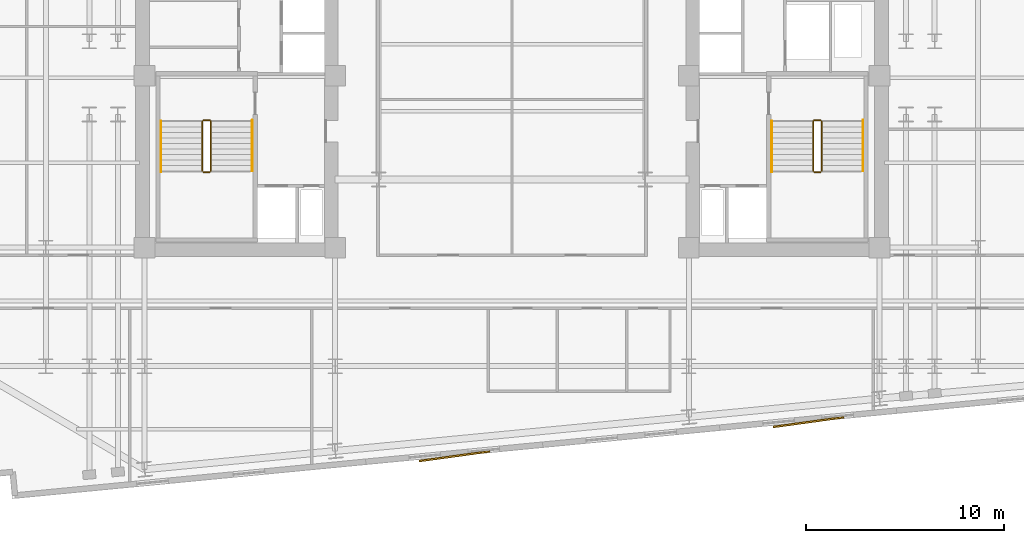
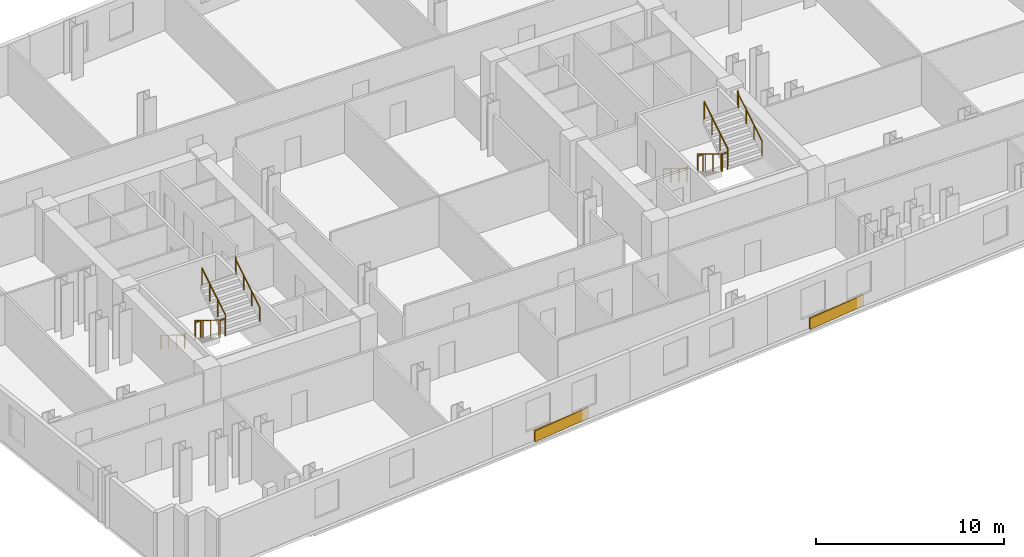
# One storey, part 10 of 11: 12 railings, 2 coverings.
"""IFC4 building model written with IfcOpenShell, lengths in metres."""

from ifc_helpers import new_model, si_unit, direction, frame, origin, origin_2d, place, context, subcontext, project, spatial, rectangle, circle, extrude, material, layer, layer_set, type_object, element, save


model = new_model("IFC4")

# Units and contexts
model_context = context("Model", 3, precision=1e-05, world=origin(), true_north=direction((0.0, 1.0)))
body_context = subcontext(model_context, "Body", "Model", "MODEL_VIEW")
ifc_project = project(units=[si_unit("LENGTHUNIT", "METRE"), si_unit("AREAUNIT", "SQUARE_METRE"), si_unit("VOLUMEUNIT", "CUBIC_METRE"), si_unit("PLANEANGLEUNIT", "RADIAN"), si_unit("MASSUNIT", "GRAM", prefix="KILO")], contexts=[model_context])

# Site, building, storey
site_placement = place(None, origin())
site = spatial("IfcSite", under=ifc_project, at=site_placement, CompositionType="ELEMENT")
building_placement = place(site_placement, origin())
building = spatial("IfcBuilding", under=site, at=building_placement, Name="Velakula Bourse", CompositionType="ELEMENT")
storey_placement = place(building_placement, frame((0.0, 0.0, 101.800048828125)))
storey = spatial("IfcBuildingStorey", under=building, at=storey_placement, Name="L27", CompositionType="ELEMENT", Elevation=101.800048828125)

# Coverings
ifc_material_1 = material(Name="Buff kilned clay facing brick masonry", Category="masonry")
ifc_layer = layer(ifc_material_1, 0.074951171875, Name="Buff kilned clay facing brick masonry", Category="masonry")
ifc_layer_set = layer_set([ifc_layer], Name="Buff kilned clay facing brick masonry")
covering_type = type_object("IfcCoveringType", Name="COV-BRK-SPN-75", PredefinedType="CLADDING", material=ifc_layer_set)
for number, where, z_axis, x_axis, name in (
    (1, (-2.908447265625, -19.154052734375, 0.0), (0.0, 0.0, 1.0), (0.990629029058, 0.136580111242, 0.0), "L27 Folded Brick Facade Cladding Panel S-B2"),
    (2, (15.0087890625, -17.428955078125, 0.0), (0.0, 0.0, 1.0), (0.990629029058, 0.136580111242, 0.0), "L27 Folded Brick Facade Cladding Panel S-B4"),
):
    element("IfcCovering", number, at=place(storey_placement, frame(where, z_axis=z_axis, x_axis=x_axis)), inside=storey, type_object=covering_type, Name=name, PredefinedType="CLADDING", context=body_context, shape_type="SweptSolid", body=[
        extrude(rectangle(XDim=3.60009765625, YDim=0.090087890625, at=origin_2d()), origin(), (0.0, 0.0, 1.0), 0.719970703125),
    ])

# Railings
ifc_material_2 = material(Name="Brushed grade 316 stainless steel", Category="steel")
railing_type_1 = type_object("IfcRailingType", Name="RLG-STAIR-GUARD-1150", PredefinedType="BALUSTRADE", material=ifc_material_2)
railing_1_placement = place(storey_placement, frame((-15.672119140625, -2.199951171875, 0.17236328125)))
element("IfcRailing", 3, at=railing_1_placement, inside=storey, type_object=railing_type_1, Name="L27 ST-W1 stair guard 1", PredefinedType="BALUSTRADE", context=body_context, shape_type="SweptSolid", body=[
    extrude(circle(Radius=0.02490234375, at=origin_2d()), frame((0.0, 0.0, 1.125), z_axis=(0.0, -0.851400495292, 0.524516154772), x_axis=(1.0, 0.0, 0.0)), (0.0, 0.0, 1.0), 2.9599609375),
    extrude(circle(Radius=0.02099609375, at=origin_2d()), origin(), (0.0, 0.0, 1.0), 1.099853515625),
    extrude(circle(Radius=0.02099609375, at=origin_2d()), frame((0.0, -0.840087890625, 0.517578125)), (0.0, 0.0, 1.0), 1.099853515625),
    extrude(circle(Radius=0.02099609375, at=origin_2d()), frame((0.0, -1.679931640625, 1.034912109375)), (0.0, 0.0, 1.0), 1.099853515625),
    extrude(circle(Radius=0.02099609375, at=origin_2d()), frame((0.0, -2.52001953125, 1.552490234375)), (0.0, 0.0, 1.0), 1.099853515625),
])
railing_2_placement = place(storey_placement, frame((-15.6220703125, -4.77001953125, 1.724853515625)))
element("IfcRailing", 4, at=railing_2_placement, inside=storey, type_object=railing_type_1, Name="L27 ST-W1 stair guard 2", PredefinedType="BALUSTRADE", context=body_context, shape_type="SweptSolid", body=[
    extrude(circle(Radius=0.02490234375, at=origin_2d()), frame((0.0, 0.0, 1.125), z_axis=(1.0, 0.0, 0.0), x_axis=(0.0, 1.0, 0.0)), (0.0, 0.0, 1.0), 0.323974609375),
    extrude(circle(Radius=0.02099609375, at=origin_2d()), origin(), (0.0, 0.0, 1.0), 1.099853515625),
    extrude(circle(Radius=0.02099609375, at=origin_2d()), frame((0.323974609375, 0.0, 0.0)), (0.0, 0.0, 1.0), 1.099853515625),
])
railing_3_placement = place(storey_placement, frame((-15.248046875, -4.719970703125, 1.8974609375)))
element("IfcRailing", 5, at=railing_3_placement, inside=storey, type_object=railing_type_1, Name="L27 ST-W1 stair guard 3", PredefinedType="BALUSTRADE", context=body_context, shape_type="SweptSolid", body=[
    extrude(circle(Radius=0.02490234375, at=origin_2d()), frame((0.0, 0.0, 1.125), z_axis=(0.0, 0.851400495292, 0.524516154772), x_axis=(-1.0, 0.0, 0.0)), (0.0, 0.0, 1.0), 2.9599609375),
    extrude(circle(Radius=0.02099609375, at=origin_2d()), origin(), (0.0, 0.0, 1.0), 1.099853515625),
    extrude(circle(Radius=0.02099609375, at=origin_2d()), frame((0.0, 0.840087890625, 0.517578125)), (0.0, 0.0, 1.0), 1.099853515625),
    extrude(circle(Radius=0.02099609375, at=origin_2d()), frame((0.0, 1.679931640625, 1.034912109375)), (0.0, 0.0, 1.0), 1.099853515625),
    extrude(circle(Radius=0.02099609375, at=origin_2d()), frame((0.0, 2.52001953125, 1.552490234375)), (0.0, 0.0, 1.0), 1.099853515625),
])
railing_4_placement = place(storey_placement, frame((-15.6220703125, -2.14990234375, 0.0)))
element("IfcRailing", 6, at=railing_4_placement, inside=storey, type_object=railing_type_1, Name="L27 ST-W1 stair guard 4", PredefinedType="BALUSTRADE", context=body_context, shape_type="SweptSolid", body=[
    extrude(circle(Radius=0.02490234375, at=origin_2d()), frame((0.0, 0.0, 1.125), z_axis=(1.0, 0.0, 0.0), x_axis=(0.0, 1.0, 0.0)), (0.0, 0.0, 1.0), 0.323974609375),
    extrude(circle(Radius=0.02099609375, at=origin_2d()), origin(), (0.0, 0.0, 1.0), 1.099853515625),
    extrude(circle(Radius=0.02099609375, at=origin_2d()), frame((0.323974609375, 0.0, 0.0)), (0.0, 0.0, 1.0), 1.099853515625),
])
railing_5_placement = place(storey_placement, frame((15.248046875, -2.199951171875, 0.17236328125)))
element("IfcRailing", 7, at=railing_5_placement, inside=storey, type_object=railing_type_1, Name="L27 ST-E1 stair guard 1", PredefinedType="BALUSTRADE", context=body_context, shape_type="SweptSolid", body=[
    extrude(circle(Radius=0.02490234375, at=origin_2d()), frame((0.0, 0.0, 1.125), z_axis=(0.0, -0.851400495292, 0.524516154772), x_axis=(1.0, 0.0, 0.0)), (0.0, 0.0, 1.0), 2.9599609375),
    extrude(circle(Radius=0.02099609375, at=origin_2d()), origin(), (0.0, 0.0, 1.0), 1.099853515625),
    extrude(circle(Radius=0.02099609375, at=origin_2d()), frame((0.0, -0.840087890625, 0.517578125)), (0.0, 0.0, 1.0), 1.099853515625),
    extrude(circle(Radius=0.02099609375, at=origin_2d()), frame((0.0, -1.679931640625, 1.034912109375)), (0.0, 0.0, 1.0), 1.099853515625),
    extrude(circle(Radius=0.02099609375, at=origin_2d()), frame((0.0, -2.52001953125, 1.552490234375)), (0.0, 0.0, 1.0), 1.099853515625),
])
railing_6_placement = place(storey_placement, frame((15.298095703125, -4.77001953125, 1.724853515625)))
element("IfcRailing", 8, at=railing_6_placement, inside=storey, type_object=railing_type_1, Name="L27 ST-E1 stair guard 2", PredefinedType="BALUSTRADE", context=body_context, shape_type="SweptSolid", body=[
    extrude(circle(Radius=0.02490234375, at=origin_2d()), frame((0.0, 0.0, 1.125), z_axis=(1.0, 0.0, 0.0), x_axis=(0.0, 1.0, 0.0)), (0.0, 0.0, 1.0), 0.323974609375),
    extrude(circle(Radius=0.02099609375, at=origin_2d()), origin(), (0.0, 0.0, 1.0), 1.099853515625),
    extrude(circle(Radius=0.02099609375, at=origin_2d()), frame((0.323974609375, 0.0, 0.0)), (0.0, 0.0, 1.0), 1.099853515625),
])
railing_7_placement = place(storey_placement, frame((15.672119140625, -4.719970703125, 1.8974609375)))
element("IfcRailing", 9, at=railing_7_placement, inside=storey, type_object=railing_type_1, Name="L27 ST-E1 stair guard 3", PredefinedType="BALUSTRADE", context=body_context, shape_type="SweptSolid", body=[
    extrude(circle(Radius=0.02490234375, at=origin_2d()), frame((0.0, 0.0, 1.125), z_axis=(0.0, 0.851400495292, 0.524516154772), x_axis=(-1.0, 0.0, 0.0)), (0.0, 0.0, 1.0), 2.9599609375),
    extrude(circle(Radius=0.02099609375, at=origin_2d()), origin(), (0.0, 0.0, 1.0), 1.099853515625),
    extrude(circle(Radius=0.02099609375, at=origin_2d()), frame((0.0, 0.840087890625, 0.517578125)), (0.0, 0.0, 1.0), 1.099853515625),
    extrude(circle(Radius=0.02099609375, at=origin_2d()), frame((0.0, 1.679931640625, 1.034912109375)), (0.0, 0.0, 1.0), 1.099853515625),
    extrude(circle(Radius=0.02099609375, at=origin_2d()), frame((0.0, 2.52001953125, 1.552490234375)), (0.0, 0.0, 1.0), 1.099853515625),
])
railing_8_placement = place(storey_placement, frame((15.298095703125, -2.14990234375, 0.0)))
element("IfcRailing", 10, at=railing_8_placement, inside=storey, type_object=railing_type_1, Name="L27 ST-E1 stair guard 4", PredefinedType="BALUSTRADE", context=body_context, shape_type="SweptSolid", body=[
    extrude(circle(Radius=0.02490234375, at=origin_2d()), frame((0.0, 0.0, 1.125), z_axis=(1.0, 0.0, 0.0), x_axis=(0.0, 1.0, 0.0)), (0.0, 0.0, 1.0), 0.323974609375),
    extrude(circle(Radius=0.02099609375, at=origin_2d()), origin(), (0.0, 0.0, 1.0), 1.099853515625),
    extrude(circle(Radius=0.02099609375, at=origin_2d()), frame((0.323974609375, 0.0, 0.0)), (0.0, 0.0, 1.0), 1.099853515625),
])
railing_type_2 = type_object("IfcRailingType", Name="RLG-STAIR-HAND-920", PredefinedType="HANDRAIL", material=ifc_material_2)
railing_9_placement = place(storey_placement, frame((-17.77001953125, -2.199951171875, 0.17236328125)))
element("IfcRailing", 11, at=railing_9_placement, inside=storey, type_object=railing_type_2, Name="L27 ST-W1 stair handrail 1", PredefinedType="HANDRAIL", context=body_context, shape_type="SweptSolid", body=[
    extrude(circle(Radius=0.02099609375, at=origin_2d()), frame((0.0, 0.0, 0.89892578125), z_axis=(0.0, -0.851400495292, 0.524516154772), x_axis=(1.0, 0.0, 0.0)), (0.0, 0.0, 1.0), 2.9599609375),
    extrude(circle(Radius=0.02099609375, at=origin_2d()), frame((0.0, -2.52001953125, 2.451416015625), z_axis=(0.0, -0.22596628056, 0.974135124123), x_axis=(1.0, 0.0, 0.0)), (0.0, 0.0, 1.0), 0.17724609375),
    extrude(circle(Radius=0.02099609375, at=origin_2d()), frame((0.0, -2.56005859375, 2.6240234375), z_axis=(0.0, -1.0, 0.0), x_axis=(1.0, 0.0, 0.0)), (0.0, 0.0, 1.0), 0.0048828125),
    extrude(circle(Radius=0.02099609375, at=origin_2d()), origin(), (0.0, 0.0, 1.0), 0.8779296875),
    extrude(circle(Radius=0.02099609375, at=origin_2d()), frame((0.0, -0.840087890625, 0.517578125)), (0.0, 0.0, 1.0), 0.8779296875),
    extrude(circle(Radius=0.02099609375, at=origin_2d()), frame((0.0, -1.679931640625, 1.034912109375)), (0.0, 0.0, 1.0), 0.8779296875),
    extrude(circle(Radius=0.02099609375, at=origin_2d()), frame((0.0, -2.52001953125, 1.552490234375)), (0.0, 0.0, 1.0), 0.8779296875),
    extrude(circle(Radius=0.02099609375, at=origin_2d()), frame((0.0, -2.56005859375, 1.72509765625)), (0.0, 0.0, 1.0), 0.8779296875),
    extrude(circle(Radius=0.02099609375, at=origin_2d()), frame((0.0, -2.56494140625, 1.72509765625)), (0.0, 0.0, 1.0), 0.8779296875),
])
railing_10_placement = place(storey_placement, frame((-13.14990234375, -4.719970703125, 1.8974609375)))
element("IfcRailing", 12, at=railing_10_placement, inside=storey, type_object=railing_type_2, Name="L27 ST-W1 stair handrail 2", PredefinedType="HANDRAIL", context=body_context, shape_type="SweptSolid", body=[
    extrude(circle(Radius=0.02099609375, at=origin_2d()), frame((0.0, 0.0, 0.89892578125), z_axis=(0.0, 0.851400495292, 0.524516154772), x_axis=(-1.0, 0.0, 0.0)), (0.0, 0.0, 1.0), 2.9599609375),
    extrude(circle(Radius=0.02099609375, at=origin_2d()), frame((0.0, 2.52001953125, 2.451416015625), z_axis=(0.0, 0.22596628056, 0.974135124123), x_axis=(-1.0, 0.0, 0.0)), (0.0, 0.0, 1.0), 0.17724609375),
    extrude(circle(Radius=0.02099609375, at=origin_2d()), frame((0.0, 2.56005859375, 2.6240234375), z_axis=(0.0, 1.0, 0.0), x_axis=(-1.0, 0.0, 0.0)), (0.0, 0.0, 1.0), 0.0048828125),
    extrude(circle(Radius=0.02099609375, at=origin_2d()), origin(), (0.0, 0.0, 1.0), 0.8779296875),
    extrude(circle(Radius=0.02099609375, at=origin_2d()), frame((0.0, 0.840087890625, 0.517578125)), (0.0, 0.0, 1.0), 0.8779296875),
    extrude(circle(Radius=0.02099609375, at=origin_2d()), frame((0.0, 1.679931640625, 1.034912109375)), (0.0, 0.0, 1.0), 0.8779296875),
    extrude(circle(Radius=0.02099609375, at=origin_2d()), frame((0.0, 2.52001953125, 1.552490234375)), (0.0, 0.0, 1.0), 0.8779296875),
    extrude(circle(Radius=0.02099609375, at=origin_2d()), frame((0.0, 2.56005859375, 1.72509765625)), (0.0, 0.0, 1.0), 0.8779296875),
    extrude(circle(Radius=0.02099609375, at=origin_2d()), frame((0.0, 2.56494140625, 1.72509765625)), (0.0, 0.0, 1.0), 0.8779296875),
])
railing_11_placement = place(storey_placement, frame((13.14990234375, -2.199951171875, 0.17236328125)))
element("IfcRailing", 13, at=railing_11_placement, inside=storey, type_object=railing_type_2, Name="L27 ST-E1 stair handrail 1", PredefinedType="HANDRAIL", context=body_context, shape_type="SweptSolid", body=[
    extrude(circle(Radius=0.02099609375, at=origin_2d()), frame((0.0, 0.0, 0.89892578125), z_axis=(0.0, -0.851400495292, 0.524516154772), x_axis=(1.0, 0.0, 0.0)), (0.0, 0.0, 1.0), 2.9599609375),
    extrude(circle(Radius=0.02099609375, at=origin_2d()), frame((0.0, -2.52001953125, 2.451416015625), z_axis=(0.0, -0.22596628056, 0.974135124123), x_axis=(1.0, 0.0, 0.0)), (0.0, 0.0, 1.0), 0.17724609375),
    extrude(circle(Radius=0.02099609375, at=origin_2d()), frame((0.0, -2.56005859375, 2.6240234375), z_axis=(0.0, -1.0, 0.0), x_axis=(1.0, 0.0, 0.0)), (0.0, 0.0, 1.0), 0.0048828125),
    extrude(circle(Radius=0.02099609375, at=origin_2d()), origin(), (0.0, 0.0, 1.0), 0.8779296875),
    extrude(circle(Radius=0.02099609375, at=origin_2d()), frame((0.0, -0.840087890625, 0.517578125)), (0.0, 0.0, 1.0), 0.8779296875),
    extrude(circle(Radius=0.02099609375, at=origin_2d()), frame((0.0, -1.679931640625, 1.034912109375)), (0.0, 0.0, 1.0), 0.8779296875),
    extrude(circle(Radius=0.02099609375, at=origin_2d()), frame((0.0, -2.52001953125, 1.552490234375)), (0.0, 0.0, 1.0), 0.8779296875),
    extrude(circle(Radius=0.02099609375, at=origin_2d()), frame((0.0, -2.56005859375, 1.72509765625)), (0.0, 0.0, 1.0), 0.8779296875),
    extrude(circle(Radius=0.02099609375, at=origin_2d()), frame((0.0, -2.56494140625, 1.72509765625)), (0.0, 0.0, 1.0), 0.8779296875),
])
railing_12_placement = place(storey_placement, frame((17.77001953125, -4.719970703125, 1.8974609375)))
element("IfcRailing", 14, at=railing_12_placement, inside=storey, type_object=railing_type_2, Name="L27 ST-E1 stair handrail 2", PredefinedType="HANDRAIL", context=body_context, shape_type="SweptSolid", body=[
    extrude(circle(Radius=0.02099609375, at=origin_2d()), frame((0.0, 0.0, 0.89892578125), z_axis=(0.0, 0.851400495292, 0.524516154772), x_axis=(-1.0, 0.0, 0.0)), (0.0, 0.0, 1.0), 2.9599609375),
    extrude(circle(Radius=0.02099609375, at=origin_2d()), frame((0.0, 2.52001953125, 2.451416015625), z_axis=(0.0, 0.22596628056, 0.974135124123), x_axis=(-1.0, 0.0, 0.0)), (0.0, 0.0, 1.0), 0.17724609375),
    extrude(circle(Radius=0.02099609375, at=origin_2d()), frame((0.0, 2.56005859375, 2.6240234375), z_axis=(0.0, 1.0, 0.0), x_axis=(-1.0, 0.0, 0.0)), (0.0, 0.0, 1.0), 0.0048828125),
    extrude(circle(Radius=0.02099609375, at=origin_2d()), origin(), (0.0, 0.0, 1.0), 0.8779296875),
    extrude(circle(Radius=0.02099609375, at=origin_2d()), frame((0.0, 0.840087890625, 0.517578125)), (0.0, 0.0, 1.0), 0.8779296875),
    extrude(circle(Radius=0.02099609375, at=origin_2d()), frame((0.0, 1.679931640625, 1.034912109375)), (0.0, 0.0, 1.0), 0.8779296875),
    extrude(circle(Radius=0.02099609375, at=origin_2d()), frame((0.0, 2.52001953125, 1.552490234375)), (0.0, 0.0, 1.0), 0.8779296875),
    extrude(circle(Radius=0.02099609375, at=origin_2d()), frame((0.0, 2.56005859375, 1.72509765625)), (0.0, 0.0, 1.0), 0.8779296875),
    extrude(circle(Radius=0.02099609375, at=origin_2d()), frame((0.0, 2.56494140625, 1.72509765625)), (0.0, 0.0, 1.0), 0.8779296875),
])

save(model, "model.ifc")
